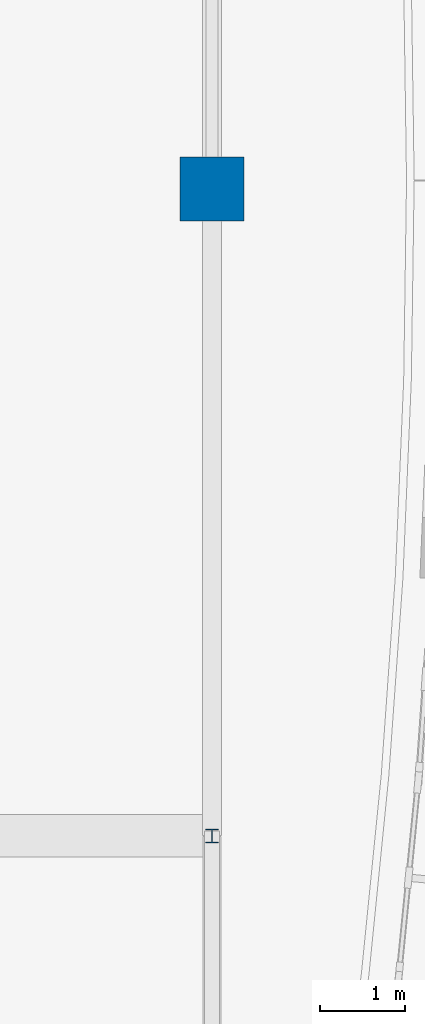
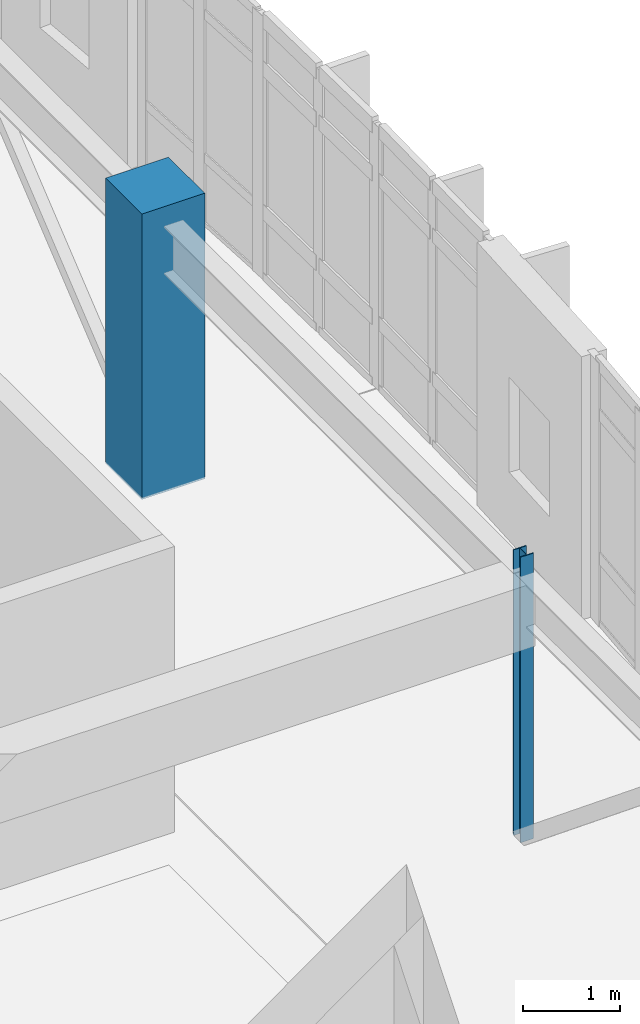
# One storey, part 4 of 30: 2 columns.
"""IFC4 building model written with IfcOpenShell, lengths in metres."""

from ifc_helpers import new_model, si_unit, direction, frame, origin, origin_2d, place, context, subcontext, project, spatial, rectangle, i_section, extrude, material, material_profile, profile_set, type_object, element, save


model = new_model("IFC4")

# Units and contexts
model_context = context("Model", 3, precision=1e-05, world=origin(), true_north=direction((0.0, 1.0)))
body_context = subcontext(model_context, "Body", "Model", "MODEL_VIEW")
ifc_project = project(units=[si_unit("LENGTHUNIT", "METRE"), si_unit("AREAUNIT", "SQUARE_METRE"), si_unit("VOLUMEUNIT", "CUBIC_METRE"), si_unit("PLANEANGLEUNIT", "RADIAN"), si_unit("MASSUNIT", "GRAM", prefix="KILO")], contexts=[model_context])

# Site, building, storey
site_placement = place(None, origin())
site = spatial("IfcSite", under=ifc_project, at=site_placement, CompositionType="ELEMENT")
building_placement = place(site_placement, origin())
building = spatial("IfcBuilding", under=site, at=building_placement, Name="Corveleigh Park Community Centre", CompositionType="ELEMENT")
storey_placement = place(building_placement, frame((0.0, 0.0, 12.60009765625)))
storey = spatial("IfcBuildingStorey", under=building, at=storey_placement, Name="L03", CompositionType="ELEMENT", Elevation=12.60009765625)

# Columns
ifc_material_1 = material(Name="Concrete C40/50", Category="concrete")
ifc_material_profile_1 = material_profile(ifc_material_1, rectangle(XDim=0.75, YDim=0.75, at=origin_2d()), Name="RC-750x750", Category="concrete")
ifc_profile_set_1 = profile_set([ifc_material_profile_1], Name="Concrete C40/50")
column_type_1 = type_object("IfcColumnType", Name="COL-RC-750x750", PredefinedType="COLUMN", material=ifc_profile_set_1)
column_1_placement = place(storey_placement, frame((168.39990234375, 81.39990234375, 0.0), z_axis=(0.0, 0.0, 1.0), x_axis=(1.0, 0.0, 0.0)))
element("IfcColumn", 1, at=column_1_placement, inside=storey, type_object=column_type_1, Name="Column V4-X7Y3 L03", PredefinedType="COLUMN", context=body_context, shape_type="SweptSolid", body=[
    extrude(rectangle(XDim=0.75, YDim=0.75, at=origin_2d()), origin(), (0.0, 0.0, 1.0), 3.599853515625),
])
ifc_material_2 = material(Name="Steel S355", Category="steel")
ifc_material_profile_2 = material_profile(ifc_material_2, i_section(OverallWidth=0.154296875, OverallDepth=0.161865234375, WebThickness=0.008056640625, FlangeThickness=0.011474609375, at=origin_2d()), Name="UKC 152x152x37", Category="steel")
ifc_profile_set_2 = profile_set([ifc_material_profile_2], Name="Steel S355")
column_type_2 = type_object("IfcColumnType", Name="COL-STL-UKC152x37", PredefinedType="COLUMN", material=ifc_profile_set_2)
column_2_placement = place(storey_placement, frame((168.39990234375, 73.800048828125, 0.0), z_axis=(0.0, 0.0, 1.0), x_axis=(1.0, 0.0, 0.0)))
element("IfcColumn", 2, at=column_2_placement, inside=storey, type_object=column_type_2, Name="Column V4-X7Y2 L03", PredefinedType="COLUMN", context=body_context, shape_type="SweptSolid", body=[
    extrude(i_section(OverallWidth=0.154296875, OverallDepth=0.161865234375, WebThickness=0.008056640625, FlangeThickness=0.011474609375, at=origin_2d()), origin(), (0.0, 0.0, 1.0), 3.599853515625),
])

save(model, "model.ifc")
